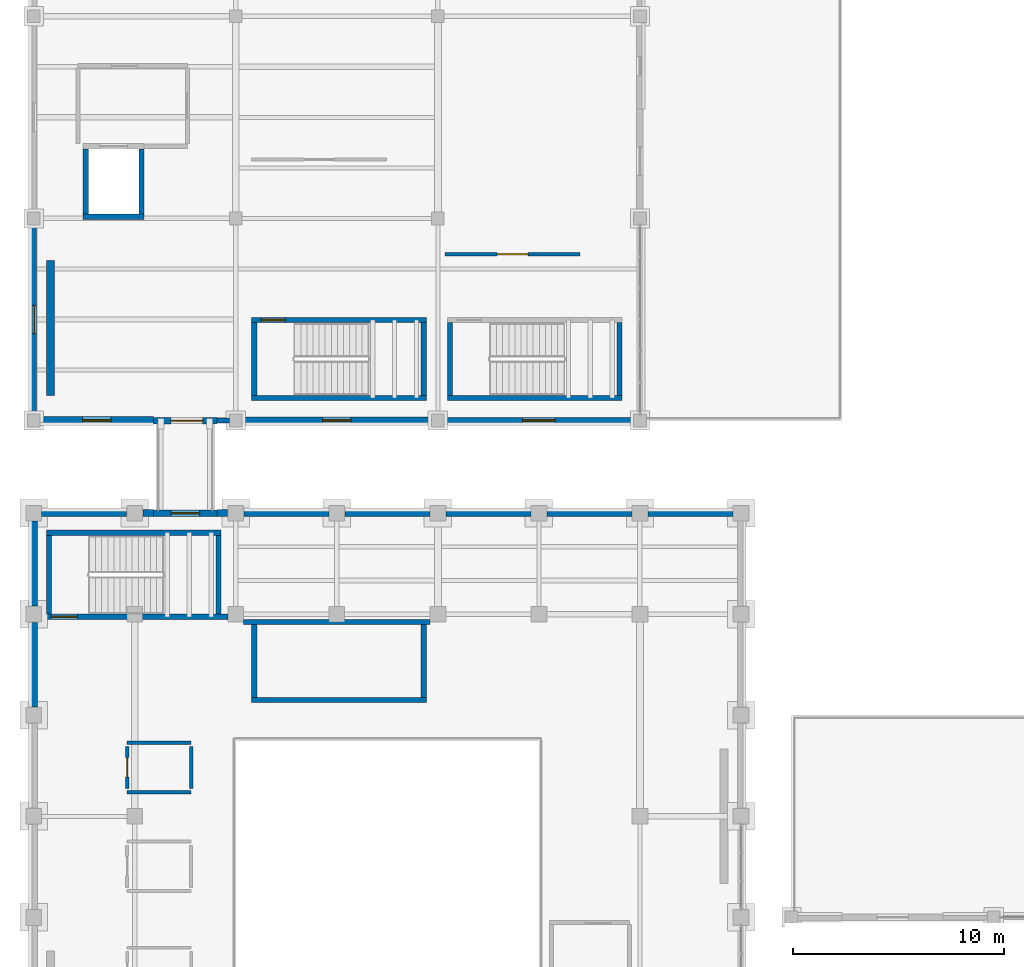
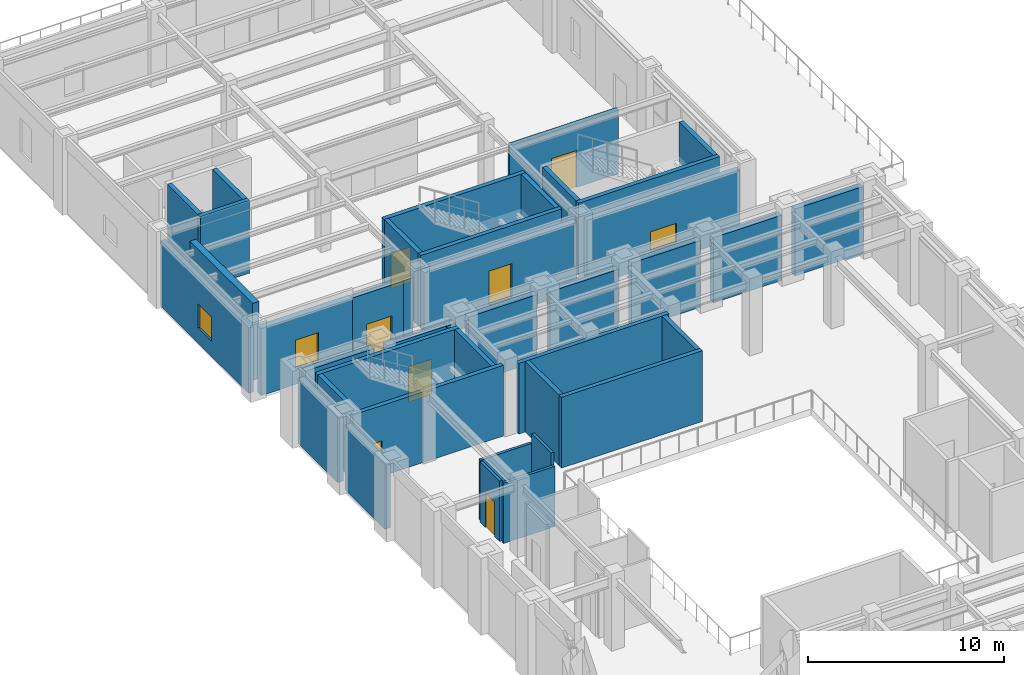
# One storey, part 60 of 83: 41 walls, 6 doors, 4 windows, 10 openings.
"""IFC4 building model written with IfcOpenShell, lengths in metres."""

import ifcopenshell
import ifcopenshell.guid

model = None  # the IFC model being written
_history = None  # IfcOwnerHistory: only IFC2X3 demands one
_inside = {}  # id of a spatial element -> (the spatial element, [elements in it])
_under = {}  # id of a project, library or spatial element -> (it, [spatial elements below it])
_declared = {}  # id of a project -> (the project, [libraries it declares])
_typed = {}  # id of a type object -> (the type object, [elements of that type])
_made_of = {}  # id of a material, layer set ... -> (it, [elements and type objects made of it])


def new_model(schema):
    """Start an empty IFC model of exactly this schema.

    Asked for "IFC4X3", IfcOpenShell would pick the latest addendum, in which some entities
    have other attributes; the version numbers below select the first issue.
    IFC2X3 requires an IfcOwnerHistory on every rooted entity: one is made here for all.
    """
    global model, _history
    if schema == "IFC4X3":
        model = ifcopenshell.file(schema_version=(4, 3, 0, 0))
    else:
        model = ifcopenshell.file(schema=schema)
    _inside.clear()
    _under.clear()
    _declared.clear()
    _typed.clear()
    _made_of.clear()
    _history = None
    if model.schema == "IFC2X3":
        org = make("IfcOrganization", Name="unknown")
        user = make(
            "IfcPersonAndOrganization",
            ThePerson=make("IfcPerson", FamilyName="unknown"),
            TheOrganization=org,
        )
        app = make(
            "IfcApplication",
            ApplicationDeveloper=org,
            Version="unknown",
            ApplicationFullName="unknown",
            ApplicationIdentifier="unknown",
        )
        _history = make(
            "IfcOwnerHistory",
            OwningUser=user,
            OwningApplication=app,
            ChangeAction="ADDED",
            CreationDate=0,
        )
    return model


def make(cls, **values):
    """One entity of the class cls with the attributes given. An attribute that is None is left unset."""
    return model.create_entity(
        cls, **{name: value for name, value in values.items() if value is not None}
    )


def rooted(cls, **values):
    """An entity with a GlobalId (a new one), such as an element, a storey or a relation."""
    return make(cls, GlobalId=ifcopenshell.guid.new(), OwnerHistory=_history, **values)


def si_unit(unit_type, name, prefix=None):
    """IfcSIUnit, for example si_unit("LENGTHUNIT", "METRE", prefix="MILLI")."""
    return make("IfcSIUnit", UnitType=unit_type, Prefix=prefix, Name=name)


def assignment(units):
    """IfcUnitAssignment: the units of a project."""
    return None if units is None else make("IfcUnitAssignment", Units=units)


def point(xyz):
    """IfcCartesianPoint."""
    return None if xyz is None else make("IfcCartesianPoint", Coordinates=xyz)


def direction(xyz):
    """IfcDirection."""
    return None if xyz is None else make("IfcDirection", DirectionRatios=xyz)


def frame(location, z_axis=None, x_axis=None):
    """IfcAxis2Placement3D, a coordinate frame: its origin and axes. An axis left out is left unset."""
    return make(
        "IfcAxis2Placement3D",
        Location=point(location),
        Axis=direction(z_axis),
        RefDirection=direction(x_axis),
    )


def frame_2d(location, x_axis=None):
    """IfcAxis2Placement2D, a coordinate frame in the plane: its origin and x axis."""
    return make(
        "IfcAxis2Placement2D", Location=point(location), RefDirection=direction(x_axis)
    )


def origin():
    """The frame at (0, 0, 0) with its axes left unset."""
    return frame((0.0, 0.0, 0.0))


def place(relative_to, where):
    """IfcLocalPlacement: puts the frame where relative to a parent placement (None: the world)."""
    return make(
        "IfcLocalPlacement", PlacementRelTo=relative_to, RelativePlacement=where
    )


def context(
    kind, dimensions, precision=None, world=None, true_north=None, identifier=None
):
    """IfcGeometricRepresentationContext, for example the 3D "Model" context."""
    return make(
        "IfcGeometricRepresentationContext",
        ContextIdentifier=identifier,
        ContextType=kind,
        CoordinateSpaceDimension=dimensions,
        Precision=precision,
        WorldCoordinateSystem=world,
        TrueNorth=true_north,
    )


def subcontext(parent, identifier, kind, view, scale=None):
    """IfcGeometricRepresentationSubContext, for example "Body" below "Model"."""
    return make(
        "IfcGeometricRepresentationSubContext",
        ContextIdentifier=identifier,
        ContextType=kind,
        ParentContext=parent,
        TargetScale=scale,
        TargetView=view,
    )


def project(units=None, contexts=None):
    """IfcProject with its units and contexts."""
    return rooted(
        "IfcProject",
        Name="project",
        RepresentationContexts=contexts,
        UnitsInContext=assignment(units),
    )


def spatial(cls, under=None, at=None, **own):
    """A site, building, storey or space (cls), placed at a placement, below another one or the project."""
    s = rooted(cls, ObjectPlacement=at, **own)
    if under is not None:
        _under.setdefault(under.id(), (under, []))[1].append(s)
    return s


def profile(cls, at=None, kind="AREA", **sizes):
    """A parametric profile (cls). Its sizes go by their IFC names, for example OverallWidth=200.0."""
    return make(cls, ProfileType=kind, Position=at, **sizes)


def rectangle(**sizes):
    """IfcRectangleProfileDef."""
    return profile("IfcRectangleProfileDef", **sizes)


def extrude(swept, where, along, depth):
    """IfcExtrudedAreaSolid: the profile swept, set in the frame where, extruded along a direction by depth."""
    return make(
        "IfcExtrudedAreaSolid",
        SweptArea=swept,
        Position=where,
        ExtrudedDirection=direction(along),
        Depth=depth,
    )


def shape(context_of_items, identifier, shape_type, items):
    """IfcShapeRepresentation: the items that make up one representation, for example the "Body"."""
    return make(
        "IfcShapeRepresentation",
        ContextOfItems=context_of_items,
        RepresentationIdentifier=identifier,
        RepresentationType=shape_type,
        Items=items,
    )


def material(Name=None, Category=None):
    """IfcMaterial."""
    return make("IfcMaterial", Name=Name, Category=Category)


def layer(
    of_material, thickness, ventilated=None, Name=None, Category=None, Priority=None
):
    """IfcMaterialLayer: one layer of a wall or slab, of a material (None: an air gap)."""
    return make(
        "IfcMaterialLayer",
        Material=of_material,
        LayerThickness=thickness,
        IsVentilated=ventilated,
        Name=Name,
        Category=Category,
        Priority=Priority,
    )


def layer_set(layers, Name=None):
    """IfcMaterialLayerSet."""
    return make("IfcMaterialLayerSet", MaterialLayers=layers, LayerSetName=Name)


def made_of(thing, what):
    """Note that an element or type object is made of a material, layer set ...; save() writes the relation."""
    if what is not None:
        _made_of.setdefault(what.id(), (what, []))[1].append(thing)
    return thing


def type_object(cls, material=None, **own):
    """A type object (cls), such as IfcWallType, which elements share."""
    return made_of(rooted(cls, **own), material)


def element(
    cls,
    number,
    at=None,
    inside=None,
    cuts=None,
    type_object=None,
    material=None,
    context=None,
    identifier="Body",
    shape_type=None,
    held_by="IfcProductDefinitionShape",
    body=None,
    shapes=None,
    **own,
):
    """One element of the class cls, such as IfcWall. Its Tag is "e" and its number.

    at: its placement. inside: the storey or other place that contains it. cuts: it is an
    opening in that element (IfcRelVoidsElement). A single representation is given by context,
    identifier, shape_type and body (its items); several are given by shapes. held_by: the class
    of the entity that holds the representations. save() writes the other relations.
    """
    e = rooted(cls, Tag="e%d" % number, ObjectPlacement=at, **own)
    if body is not None:
        shapes = [shape(context, identifier, shape_type, body)]
    if shapes is not None:
        e.Representation = make(held_by, Representations=shapes)
    if inside is not None:
        _inside.setdefault(inside.id(), (inside, []))[1].append(e)
    if cuts is not None:
        rooted(
            "IfcRelVoidsElement", RelatingBuildingElement=cuts, RelatedOpeningElement=e
        )
    if type_object is not None:
        _typed.setdefault(type_object.id(), (type_object, []))[1].append(e)
    return made_of(e, material)


def fill(opening, filler):
    """IfcRelFillsElement: the door or window that sits in an opening."""
    return rooted(
        "IfcRelFillsElement",
        RelatingOpeningElement=opening,
        RelatedBuildingElement=filler,
    )


def aggregate(whole, parts):
    """IfcRelAggregates: a whole, such as a stair, and the parts it consists of."""
    return rooted("IfcRelAggregates", RelatingObject=whole, RelatedObjects=parts)


def save(model, path):
    """Write the relations noted so far, then the file.

    IfcRelAggregates (storeys below a building ...), IfcRelContainedInSpatialStructure (elements
    in a storey), IfcRelDefinesByType, IfcRelAssociatesMaterial and IfcRelDeclares: one each for
    every whole, place, type object, material and project.
    """
    for whole, parts in _under.values():
        aggregate(whole, parts)
    for where, things in _inside.values():
        rooted(
            "IfcRelContainedInSpatialStructure",
            RelatedElements=things,
            RelatingStructure=where,
        )
    for kind, things in _typed.values():
        rooted("IfcRelDefinesByType", RelatedObjects=things, RelatingType=kind)
    for what, things in _made_of.values():
        rooted("IfcRelAssociatesMaterial", RelatedObjects=things, RelatingMaterial=what)
    for by, libraries in _declared.values():
        rooted("IfcRelDeclares", RelatingContext=by, RelatedDefinitions=libraries)
    model.write(path)


model = new_model("IFC4")

# Units and contexts
model_context = context("Model", 3, precision=1e-05, world=origin(), true_north=direction((0.0, 1.0)))
body_context = subcontext(model_context, "Body", "Model", "MODEL_VIEW")
ifc_project = project(units=[si_unit("LENGTHUNIT", "METRE"), si_unit("AREAUNIT", "SQUARE_METRE"), si_unit("VOLUMEUNIT", "CUBIC_METRE"), si_unit("PLANEANGLEUNIT", "RADIAN"), si_unit("MASSUNIT", "GRAM", prefix="KILO")], contexts=[model_context])

# Site, building, storey
site_placement = place(None, origin())
site = spatial("IfcSite", under=ifc_project, at=site_placement, CompositionType="ELEMENT")
building_placement = place(site_placement, origin())
building = spatial("IfcBuilding", under=site, at=building_placement, Name="Mavantir Sound Aquarium", CompositionType="ELEMENT")
storey_placement = place(building_placement, frame((0.0, 0.0, 10.5)))
storey = spatial("IfcBuildingStorey", under=building, at=storey_placement, Name="L02", CompositionType="ELEMENT", Elevation=10.5)

# Wall, opening, door
ifc_material_1 = material(Name="Coral-Buff Architectural Precast Concrete C40/50", Category="concrete")
ifc_layer_1 = layer(ifc_material_1, 0.31005859375, Name="Coral-Buff Architectural Precast Concrete C40/50")
ifc_layer_set_1 = layer_set([ifc_layer_1], Name="Coral-Buff Architectural Precast Concrete C40/50")
wall_type_1 = type_object("IfcWallType", Name="EW-CORAL-310", PredefinedType="SOLIDWALL", material=ifc_layer_set_1)
wall_1_placement = place(storey_placement, frame((8.699951171875, 79.199951171875, 0.0), z_axis=(0.0, 0.0, 1.0), x_axis=(-1.0, 0.0, 0.0)))
wall_1 = element("IfcWall", 1, at=wall_1_placement, inside=storey, type_object=wall_type_1, Name="L02 bridge portal wall 9", PredefinedType="SOLIDWALL", context=body_context, shape_type="SweptSolid", body=[
    extrude(rectangle(XDim=3.0, YDim=0.31005859375, at=frame_2d((1.5, 0.0))), origin(), (0.0, 0.0, 1.0), 4.05810546875),
])
opening_1_placement = place(wall_1_placement, frame((2.170166015625, 0.0, 0.0), z_axis=(0.0, 0.0, 1.0), x_axis=(-1.0, 0.0, 0.0)))
opening_1 = element("IfcOpeningElement", 2, at=opening_1_placement, cuts=wall_1, Name="Opening ETD-02", PredefinedType="OPENING", context=body_context, shape_type="SweptSolid", body=[
    extrude(rectangle(XDim=1.35009765625, YDim=2.199951171875, at=frame_2d((0.675048828125, 1.10009765625))), frame((0.0, 0.1650390625, 0.0), z_axis=(0.0, -1.0, 0.0), x_axis=(1.0, 0.0, 0.0)), (0.0, 0.0, 1.0), 0.330078125),
])
ifc_material_2 = material(Name="Marine-Grade Anodised Aluminium and Laminated Glass", Category="aluminium")
door_type_1 = type_object("IfcDoorType", Name="DR-TER-135", OperationType="NOTDEFINED", PredefinedType="DOOR", material=ifc_material_2)
door_1_placement = place(opening_1_placement, origin())
door_1 = element("IfcDoor", 3, at=door_1_placement, inside=storey, type_object=door_type_1, Name="L02 bridge access door 9", OperationType="SINGLE_SWING_RIGHT", OverallHeight=2.199951171875, OverallWidth=1.35009765625, PredefinedType="DOOR", context=body_context, shape_type="SweptSolid", body=[
    extrude(rectangle(XDim=1.35009765625, YDim=2.199951171875, at=frame_2d((0.675048828125, 1.10009765625))), frame((0.0, 0.02490234375, 0.0), z_axis=(0.0, -1.0, 0.0), x_axis=(1.0, 0.0, 0.0)), (0.0, 0.0, 1.0), 0.050048828125),
])
fill(opening_1, door_1)

wall_2_placement = place(storey_placement, frame((5.699951171875, 83.60009765625, 0.0), z_axis=(0.0, 0.0, 1.0), x_axis=(1.0, 0.0, 0.0)))
wall_2 = element("IfcWall", 4, at=wall_2_placement, inside=storey, type_object=wall_type_1, Name="L02 bridge portal wall 10", PredefinedType="SOLIDWALL", context=body_context, shape_type="SweptSolid", body=[
    extrude(rectangle(XDim=3.0, YDim=0.31005859375, at=frame_2d((1.5, 0.0))), origin(), (0.0, 0.0, 1.0), 4.177978515625),
])
opening_2_placement = place(wall_2_placement, frame((2.320068359375, 0.0, 0.0), z_axis=(0.0, 0.0, 1.0), x_axis=(-1.0, 0.0, 0.0)))
opening_2 = element("IfcOpeningElement", 5, at=opening_2_placement, cuts=wall_2, Name="Opening ETD-01", PredefinedType="OPENING", context=body_context, shape_type="SweptSolid", body=[
    extrude(rectangle(XDim=1.5, YDim=2.25, at=frame_2d((0.75, 1.125))), frame((0.0, 0.1650390625, 0.0), z_axis=(0.0, -1.0, 0.0), x_axis=(1.0, 0.0, 0.0)), (0.0, 0.0, 1.0), 0.330078125),
])
door_type_2 = type_object("IfcDoorType", Name="DR-TER-150", OperationType="NOTDEFINED", PredefinedType="DOOR", material=ifc_material_2)
door_2_placement = place(opening_2_placement, origin())
door_2 = element("IfcDoor", 6, at=door_2_placement, inside=storey, type_object=door_type_2, Name="L02 bridge access door 10", OperationType="SINGLE_SWING_LEFT", OverallHeight=2.25, OverallWidth=1.5, PredefinedType="DOOR", context=body_context, shape_type="SweptSolid", body=[
    extrude(rectangle(XDim=1.5, YDim=2.25, at=frame_2d((0.75, 1.125))), frame((0.0, 0.02490234375, 0.0), z_axis=(0.0, -1.0, 0.0), x_axis=(1.0, 0.0, 0.0)), (0.0, 0.0, 1.0), 0.050048828125),
])
fill(opening_2, door_2)

# Wall, opening, window
wall_3_placement = place(storey_placement, frame((19.508056640625, 83.60009765625, 0.0), z_axis=(0.0, 0.0, 1.0), x_axis=(1.0, 0.0, 0.0)))
wall_3 = element("IfcWall", 7, at=wall_3_placement, inside=storey, type_object=wall_type_1, Name="L02 exterior facade wall EW-02 290", PredefinedType="SOLIDWALL", context=body_context, shape_type="SweptSolid", body=[
    extrude(rectangle(XDim=8.98388671875, YDim=0.31005859375, at=frame_2d((4.491943359375, 0.0))), origin(), (0.0, 0.0, 1.0), 4.177978515625),
])
opening_3_placement = place(wall_3_placement, frame((3.717041015625, 0.0, 0.949951171875)))
opening_3 = element("IfcOpeningElement", 8, at=opening_3_placement, cuts=wall_3, Name="Opening W-13", PredefinedType="OPENING", context=body_context, shape_type="SweptSolid", body=[
    extrude(rectangle(XDim=1.550048828125, YDim=1.199951171875, at=frame_2d((0.77490234375, 0.60009765625))), frame((0.0, 0.1650390625, 0.0), z_axis=(0.0, -1.0, 0.0), x_axis=(1.0, 0.0, 0.0)), (0.0, 0.0, 1.0), 0.330078125),
])
ifc_material_3 = material(Name="Thermally Broken Aluminium and Low-E Glass", Category="aluminium")
window_type_1 = type_object("IfcWindowType", Name="WIN-EXT-13", PartitioningType="SINGLE_PANEL", PredefinedType="WINDOW", material=ifc_material_3)
window_1_placement = place(opening_3_placement, origin())
window_1 = element("IfcWindow", 9, at=window_1_placement, inside=storey, type_object=window_type_1, Name="L02 facade window W-13 109", OverallHeight=1.199951171875, OverallWidth=1.550048828125, PartitioningType="SINGLE_PANEL", PredefinedType="WINDOW", context=body_context, shape_type="SweptSolid", body=[
    extrude(rectangle(XDim=1.550048828125, YDim=1.199951171875, at=frame_2d((0.77490234375, 0.60009765625))), frame((0.0, 0.030029296875, 0.0), z_axis=(0.0, -1.0, 0.0), x_axis=(1.0, 0.0, 0.0)), (0.0, 0.0, 1.0), 0.06005859375),
])
fill(opening_3, window_1)

# Walls
ifc_layer_2 = layer(ifc_material_1, 0.340087890625, Name="Coral-Buff Architectural Precast Concrete C40/50")
ifc_layer_set_2 = layer_set([ifc_layer_2], Name="Coral-Buff Architectural Precast Concrete C40/50")
wall_type_2 = type_object("IfcWallType", Name="EW-CORAL-340", PredefinedType="SOLIDWALL", material=ifc_layer_set_2)
wall_4_placement = place(storey_placement, frame((33.217041015625, 79.199951171875, 0.0), z_axis=(0.0, 0.0, 1.0), x_axis=(-1.0, 0.0, 0.0)))
element("IfcWall", 10, at=wall_4_placement, inside=storey, type_object=wall_type_2, Name="L02 exterior facade wall EW-01 209", PredefinedType="SOLIDWALL", context=body_context, shape_type="SweptSolid", body=[
    extrude(rectangle(XDim=4.033935546875, YDim=0.340087890625, at=frame_2d((2.01708984375, 0.0))), origin(), (0.0, 0.0, 1.0), 4.1630859375),
])
wall_5_placement = place(storey_placement, frame((28.4169921875, 79.199951171875, 0.0), z_axis=(0.0, 0.0, 1.0), x_axis=(-1.0, 0.0, 0.0)))
element("IfcWall", 11, at=wall_5_placement, inside=storey, type_object=wall_type_2, Name="L02 exterior facade wall EW-01 210", PredefinedType="SOLIDWALL", context=body_context, shape_type="SweptSolid", body=[
    extrude(rectangle(XDim=4.033935546875, YDim=0.340087890625, at=frame_2d((2.01708984375, 0.0))), origin(), (0.0, 0.0, 1.0), 4.05810546875),
])
wall_6_placement = place(storey_placement, frame((23.616943359375, 79.199951171875, 0.0), z_axis=(0.0, 0.0, 1.0), x_axis=(-1.0, 0.0, 0.0)))
element("IfcWall", 12, at=wall_6_placement, inside=storey, type_object=wall_type_2, Name="L02 exterior facade wall EW-01 211", PredefinedType="SOLIDWALL", context=body_context, shape_type="SweptSolid", body=[
    extrude(rectangle(XDim=4.033935546875, YDim=0.340087890625, at=frame_2d((2.01708984375, 0.0))), origin(), (0.0, 0.0, 1.0), 4.1630859375),
])
wall_7_placement = place(storey_placement, frame((18.81689453125, 79.199951171875, 0.0), z_axis=(0.0, 0.0, 1.0), x_axis=(-1.0, 0.0, 0.0)))
element("IfcWall", 13, at=wall_7_placement, inside=storey, type_object=wall_type_2, Name="L02 exterior facade wall EW-01 212", PredefinedType="SOLIDWALL", context=body_context, shape_type="SweptSolid", body=[
    extrude(rectangle(XDim=4.033935546875, YDim=0.340087890625, at=frame_2d((2.01708984375, 0.0))), origin(), (0.0, 0.0, 1.0), 4.05810546875),
])
wall_8_placement = place(storey_placement, frame((14.01708984375, 79.199951171875, 0.0), z_axis=(0.0, 0.0, 1.0), x_axis=(-1.0, 0.0, 0.0)))
element("IfcWall", 14, at=wall_8_placement, inside=storey, type_object=wall_type_2, Name="L02 exterior facade wall EW-01 213", PredefinedType="SOLIDWALL", context=body_context, shape_type="SweptSolid", body=[
    extrude(rectangle(XDim=4.0341796875, YDim=0.340087890625, at=frame_2d((2.01708984375, 0.0))), origin(), (0.0, 0.0, 1.0), 4.1630859375),
])
for number, where, z_axis, x_axis, name in (
    (15, (9.217041015625, 79.199951171875, 0.0), (0.0, 0.0, 1.0), (-1.0, 0.0, 0.0), "L02 exterior facade wall EW-01 214"),
    (16, (5.695068359375, 79.199951171875, 0.0), (0.0, 0.0, 1.0), (-1.0, 0.0, 0.0), "L02 exterior facade wall EW-01 215"),
):
    element("IfcWall", number, at=place(storey_placement, frame(where, z_axis=z_axis, x_axis=x_axis)), inside=storey, type_object=wall_type_2, Name=name, PredefinedType="SOLIDWALL", context=body_context, shape_type="SweptSolid", body=[
        extrude(rectangle(XDim=0.511962890625, YDim=0.340087890625, at=frame_2d((0.255859375, 0.0))), origin(), (0.0, 0.0, 1.0), 4.05810546875),
    ])
wall_9_placement = place(storey_placement, frame((4.4169921875, 79.199951171875, 0.0), z_axis=(0.0, 0.0, 1.0), x_axis=(-1.0, 0.0, 0.0)))
element("IfcWall", 17, at=wall_9_placement, inside=storey, type_object=wall_type_2, Name="L02 exterior facade wall EW-01 216", PredefinedType="SOLIDWALL", context=body_context, shape_type="SweptSolid", body=[
    extrude(rectangle(XDim=4.033935546875, YDim=0.340087890625, at=frame_2d((2.01708984375, 0.0))), origin(), (0.0, 0.0, 1.0), 4.1630859375),
])
wall_10_placement = place(storey_placement, frame((0.0, 78.81689453125, 0.0), z_axis=(0.0, 0.0, 1.0), x_axis=(0.0, -1.0, 0.0)))
element("IfcWall", 18, at=wall_10_placement, inside=storey, type_object=wall_type_2, Name="L02 exterior facade wall EW-01 217", PredefinedType="SOLIDWALL", context=body_context, shape_type="SweptSolid", body=[
    extrude(rectangle(XDim=4.033935546875, YDim=0.340087890625, at=frame_2d((2.01708984375, 0.0))), origin(), (0.0, 0.0, 1.0), 4.05810546875),
])
wall_11_placement = place(storey_placement, frame((0.0, 74.01708984375, 0.0), z_axis=(0.0, 0.0, 1.0), x_axis=(0.0, -1.0, 0.0)))
element("IfcWall", 19, at=wall_11_placement, inside=storey, type_object=wall_type_2, Name="L02 exterior facade wall EW-01 218", PredefinedType="SOLIDWALL", context=body_context, shape_type="SweptSolid", body=[
    extrude(rectangle(XDim=4.0341796875, YDim=0.340087890625, at=frame_2d((2.01708984375, 0.0))), origin(), (0.0, 0.0, 1.0), 4.05810546875),
])

# Wall, opening, window
wall_12_placement = place(storey_placement, frame((9.907958984375, 83.60009765625, 0.0), z_axis=(0.0, 0.0, 1.0), x_axis=(1.0, 0.0, 0.0)))
wall_12 = element("IfcWall", 20, at=wall_12_placement, inside=storey, type_object=wall_type_2, Name="L02 exterior facade wall EW-01 289", PredefinedType="SOLIDWALL", context=body_context, shape_type="SweptSolid", body=[
    extrude(rectangle(XDim=8.984130859375, YDim=0.340087890625, at=frame_2d((4.4921875, 0.0))), origin(), (0.0, 0.0, 1.0), 4.282958984375),
])
opening_4_placement = place(wall_12_placement, frame((3.81689453125, 0.0, 0.949951171875)))
opening_4 = element("IfcOpeningElement", 21, at=opening_4_placement, cuts=wall_12, Name="Opening W-12", PredefinedType="OPENING", context=body_context, shape_type="SweptSolid", body=[
    extrude(rectangle(XDim=1.35009765625, YDim=2.10009765625, at=frame_2d((0.675048828125, 1.050048828125))), frame((0.0, 0.18017578125, 0.0), z_axis=(0.0, -1.0, 0.0), x_axis=(1.0, 0.0, 0.0)), (0.0, 0.0, 1.0), 0.360107421875),
])
window_type_2 = type_object("IfcWindowType", Name="WIN-EXT-12", PartitioningType="SINGLE_PANEL", PredefinedType="WINDOW", material=ifc_material_3)
window_2_placement = place(opening_4_placement, origin())
window_2 = element("IfcWindow", 22, at=window_2_placement, inside=storey, type_object=window_type_2, Name="L02 facade window W-12 108", OverallHeight=2.10009765625, OverallWidth=1.35009765625, PartitioningType="SINGLE_PANEL", PredefinedType="WINDOW", context=body_context, shape_type="SweptSolid", body=[
    extrude(rectangle(XDim=1.35009765625, YDim=2.10009765625, at=frame_2d((0.675048828125, 1.050048828125))), frame((0.0, 0.030029296875, 0.0), z_axis=(0.0, -1.0, 0.0), x_axis=(1.0, 0.0, 0.0)), (0.0, 0.0, 1.0), 0.06005859375),
])
fill(opening_4, window_2)

# Wall
ifc_material_4 = material(Name="Architectural Precast Concrete C40/50", Category="concrete")
ifc_layer_3 = layer(ifc_material_4, 0.239990234375, Name="Architectural Precast Concrete C40/50")
ifc_layer_set_3 = layer_set([ifc_layer_3], Name="Architectural Precast Concrete C40/50")
wall_type_3 = type_object("IfcWallType", Name="EW-PRE-240", PredefinedType="SOLIDWALL", material=ifc_layer_set_3)
wall_13_placement = place(storey_placement, frame((8.705078125, 83.60009765625, 0.0), z_axis=(0.0, 0.0, 1.0), x_axis=(1.0, 0.0, 0.0)))
element("IfcWall", 23, at=wall_13_placement, inside=storey, type_object=wall_type_3, Name="L02 exterior facade wall EW-06 288", PredefinedType="SOLIDWALL", context=body_context, shape_type="SweptSolid", body=[
    extrude(rectangle(XDim=0.5869140625, YDim=0.239990234375, at=frame_2d((0.29345703125, 0.0))), origin(), (0.0, 0.0, 1.0), 4.177978515625),
])

# Wall, opening, window
ifc_layer_4 = layer(ifc_material_1, 0.360107421875, Name="Coral-Buff Architectural Precast Concrete C40/50")
ifc_layer_set_4 = layer_set([ifc_layer_4], Name="Coral-Buff Architectural Precast Concrete C40/50")
wall_type_4 = type_object("IfcWallType", Name="EW-PRE-360", PredefinedType="SOLIDWALL", material=ifc_layer_set_4)
wall_14_placement = place(storey_placement, frame((0.30810546875, 83.60009765625, 0.0), z_axis=(0.0, 0.0, 1.0), x_axis=(1.0, 0.0, 0.0)))
wall_14 = element("IfcWall", 24, at=wall_14_placement, inside=storey, type_object=wall_type_4, Name="L02 exterior facade wall EW-05 287", PredefinedType="SOLIDWALL", context=body_context, shape_type="SweptSolid", body=[
    extrude(rectangle(XDim=5.386962890625, YDim=0.360107421875, at=frame_2d((2.693359375, 0.0))), origin(), (0.0, 0.0, 1.0), 4.177978515625),
])
opening_5_placement = place(wall_14_placement, frame((2.0185546875, 0.0, 0.949951171875)))
opening_5 = element("IfcOpeningElement", 25, at=opening_5_placement, cuts=wall_14, Name="Opening W-11", PredefinedType="OPENING", context=body_context, shape_type="SweptSolid", body=[
    extrude(rectangle(XDim=1.35009765625, YDim=1.800048828125, at=frame_2d((0.675048828125, 0.89990234375))), frame((0.0, 0.18994140625, 0.0), z_axis=(0.0, -1.0, 0.0), x_axis=(1.0, 0.0, 0.0)), (0.0, 0.0, 1.0), 0.380126953125),
])
window_type_3 = type_object("IfcWindowType", Name="WIN-EXT-11", PartitioningType="SINGLE_PANEL", PredefinedType="WINDOW", material=ifc_material_3)
window_3_placement = place(opening_5_placement, origin())
window_3 = element("IfcWindow", 26, at=window_3_placement, inside=storey, type_object=window_type_3, Name="L02 facade window W-11 107", OverallHeight=1.800048828125, OverallWidth=1.35009765625, PartitioningType="SINGLE_PANEL", PredefinedType="WINDOW", context=body_context, shape_type="SweptSolid", body=[
    extrude(rectangle(XDim=1.35009765625, YDim=1.800048828125, at=frame_2d((0.675048828125, 0.89990234375))), frame((0.0, 0.030029296875, 0.0), z_axis=(0.0, -1.0, 0.0), x_axis=(1.0, 0.0, 0.0)), (0.0, 0.0, 1.0), 0.06005859375),
])
fill(opening_5, window_3)

ifc_material_5 = material(Name="Cerulean Glazed Terracotta Rainscreen on Concrete C40/50", Category="masonry")
ifc_layer_5 = layer(ifc_material_5, 0.27001953125, Name="Cerulean Glazed Terracotta Rainscreen on Concrete C40/50")
ifc_layer_set_5 = layer_set([ifc_layer_5], Name="Cerulean Glazed Terracotta Rainscreen on Concrete C40/50")
wall_type_5 = type_object("IfcWallType", Name="EW-TERRA-270", PredefinedType="SOLIDWALL", material=ifc_layer_set_5)
wall_15_placement = place(storey_placement, frame((0.0, 92.89208984375, 0.0), z_axis=(0.0, 0.0, 1.0), x_axis=(0.0, -1.0, 0.0)))
wall_15 = element("IfcWall", 27, at=wall_15_placement, inside=storey, type_object=wall_type_5, Name="L02 exterior facade wall EW-04 286", PredefinedType="SOLIDWALL", context=body_context, shape_type="SweptSolid", body=[
    extrude(rectangle(XDim=8.984130859375, YDim=0.27001953125, at=frame_2d((4.4921875, 0.0))), origin(), (0.0, 0.0, 1.0), 4.069091796875),
])
opening_6_placement = place(wall_15_placement, frame((3.81689453125, 0.0, 0.949951171875)))
opening_6 = element("IfcOpeningElement", 28, at=opening_6_placement, cuts=wall_15, Name="Opening W-10", PredefinedType="OPENING", context=body_context, shape_type="SweptSolid", body=[
    extrude(rectangle(XDim=1.35009765625, YDim=1.5, at=frame_2d((0.675048828125, 0.75))), frame((0.0, 0.14501953125, 0.0), z_axis=(0.0, -1.0, 0.0), x_axis=(1.0, 0.0, 0.0)), (0.0, 0.0, 1.0), 0.2900390625),
])
window_type_4 = type_object("IfcWindowType", Name="WIN-EXT-10", PartitioningType="SINGLE_PANEL", PredefinedType="WINDOW", material=ifc_material_3)
window_4_placement = place(opening_6_placement, origin())
window_4 = element("IfcWindow", 29, at=window_4_placement, inside=storey, type_object=window_type_4, Name="L02 facade window W-10 106", OverallHeight=1.5, OverallWidth=1.35009765625, PartitioningType="SINGLE_PANEL", PredefinedType="WINDOW", context=body_context, shape_type="SweptSolid", body=[
    extrude(rectangle(XDim=1.35009765625, YDim=1.5, at=frame_2d((0.675048828125, 0.75))), frame((0.0, 0.030029296875, 0.0), z_axis=(0.0, -1.0, 0.0), x_axis=(1.0, 0.0, 0.0)), (0.0, 0.0, 1.0), 0.06005859375),
])
fill(opening_6, window_4)

# Walls
ifc_material_6 = material(Name="Acoustic Metal-Stud Gypsum Partition", Category="gypsum")
ifc_layer_6 = layer(ifc_material_6, 0.159912109375, Name="Acoustic Metal-Stud Gypsum Partition")
ifc_layer_set_6 = layer_set([ifc_layer_6], Name="Acoustic Metal-Stud Gypsum Partition")
wall_type_6 = type_object("IfcWallType", Name="IW-PART-160", PredefinedType="PARTITIONING", material=ifc_layer_set_6)
for number, where, z_axis, x_axis, name in (
    (30, (4.43994140625, 68.300048828125, 0.0), (0.0, 0.0, 1.0), (1.0, 0.0, 0.0), "L02 L02 Accessible WC partition N"),
    (31, (4.43994140625, 65.949951171875, 0.0), (0.0, 0.0, 1.0), (1.0, 0.0, 0.0), "L02 L02 Accessible WC partition S"),
):
    element("IfcWall", number, at=place(storey_placement, frame(where, z_axis=z_axis, x_axis=x_axis)), inside=storey, type_object=wall_type_6, Name=name, PredefinedType="PARTITIONING", context=body_context, shape_type="SweptSolid", body=[
        extrude(rectangle(XDim=3.0400390625, YDim=0.159912109375, at=frame_2d((1.52001953125, 0.0))), origin(), (0.0, 0.0, 1.0), 3.7548828125),
    ])

# Wall, opening, door
wall_16_placement = place(storey_placement, frame((4.43994140625, 66.1298828125, 0.0), z_axis=(0.0, 0.0, 1.0), x_axis=(0.0, 1.0, 0.0)))
wall_16 = element("IfcWall", 32, at=wall_16_placement, inside=storey, type_object=wall_type_6, Name="L02 L02 Accessible WC partition W", PredefinedType="PARTITIONING", context=body_context, shape_type="SweptSolid", body=[
    extrude(rectangle(XDim=1.990234375, YDim=0.159912109375, at=frame_2d((0.9951171875, 0.0))), origin(), (0.0, 0.0, 1.0), 3.7548828125),
])
opening_7_placement = place(wall_16_placement, frame((0.534912109375, 0.0, 0.0)))
opening_7 = element("IfcOpeningElement", 33, at=opening_7_placement, cuts=wall_16, Name="Opening ID-01", PredefinedType="OPENING", context=body_context, shape_type="SweptSolid", body=[
    extrude(rectangle(XDim=0.919921875, YDim=2.1201171875, at=frame_2d((0.4599609375, 1.06005859375))), frame((0.0, 0.08984375, 0.0), z_axis=(0.0, -1.0, 0.0), x_axis=(1.0, 0.0, 0.0)), (0.0, 0.0, 1.0), 0.179931640625),
])
ifc_material_7 = material(Name="Solid-Core Marine Hardwood and Vision-Panel Door", Category="wood")
door_type_3 = type_object("IfcDoorType", Name="DR-INT-01", OperationType="NOTDEFINED", PredefinedType="DOOR", material=ifc_material_7)
door_3_placement = place(opening_7_placement, origin())
door_3 = element("IfcDoor", 34, at=door_3_placement, inside=storey, type_object=door_type_3, Name="L02 Accessible WC entrance door", OperationType="SINGLE_SWING_LEFT", OverallHeight=2.1201171875, OverallWidth=0.919921875, PredefinedType="DOOR", context=body_context, shape_type="SweptSolid", body=[
    extrude(rectangle(XDim=0.919921875, YDim=2.1201171875, at=frame_2d((0.4599609375, 1.06005859375))), frame((0.0, 0.02490234375, 0.0), z_axis=(0.0, -1.0, 0.0), x_axis=(1.0, 0.0, 0.0)), (0.0, 0.0, 1.0), 0.050048828125),
])
fill(opening_7, door_3)

# Wall
wall_17_placement = place(storey_placement, frame((7.47998046875, 66.1298828125, 0.0), z_axis=(0.0, 0.0, 1.0), x_axis=(0.0, 1.0, 0.0)))
element("IfcWall", 35, at=wall_17_placement, inside=storey, type_object=wall_type_6, Name="L02 L02 Accessible WC partition E", PredefinedType="PARTITIONING", context=body_context, shape_type="SweptSolid", body=[
    extrude(rectangle(XDim=1.990234375, YDim=0.159912109375, at=frame_2d((0.9951171875, 0.0))), origin(), (0.0, 0.0, 1.0), 4.43994140625),
])

# Wall, opening, door
ifc_layer_7 = layer(ifc_material_6, 0.179931640625, Name="Acoustic Metal-Stud Gypsum Partition")
ifc_layer_set_7 = layer_set([ifc_layer_7], Name="Acoustic Metal-Stud Gypsum Partition")
wall_type_7 = type_object("IfcWallType", Name="IW-PART-180", PredefinedType="PARTITIONING", material=ifc_layer_set_7)
wall_18_placement = place(storey_placement, frame((19.550048828125, 91.5, 0.0), z_axis=(0.0, 0.0, 1.0), x_axis=(1.0, 0.0, 0.0)))
wall_18 = element("IfcWall", 36, at=wall_18_placement, inside=storey, type_object=wall_type_7, Name="L02 Marine Research Physical Oceanography Laboratory entry partition", PredefinedType="PARTITIONING", context=body_context, shape_type="SweptSolid", body=[
    extrude(rectangle(XDim=6.39990234375, YDim=0.179931640625, at=frame_2d((3.199951171875, 0.0))), origin(), (0.0, 0.0, 1.0), 4.01708984375),
])
opening_8_placement = place(wall_18_placement, frame((2.4599609375, 0.0, 0.0)))
opening_8 = element("IfcOpeningElement", 37, at=opening_8_placement, cuts=wall_18, Name="Opening ID-13", PredefinedType="OPENING", context=body_context, shape_type="SweptSolid", body=[
    extrude(rectangle(XDim=1.47998046875, YDim=2.300048828125, at=frame_2d((0.739990234375, 1.14990234375))), frame((0.0, 0.10009765625, 0.0), z_axis=(0.0, -1.0, 0.0), x_axis=(1.0, 0.0, 0.0)), (0.0, 0.0, 1.0), 0.199951171875),
])
door_type_4 = type_object("IfcDoorType", Name="DR-INT-13", OperationType="NOTDEFINED", PredefinedType="DOOR", material=ifc_material_7)
door_4_placement = place(opening_8_placement, origin())
door_4 = element("IfcDoor", 38, at=door_4_placement, inside=storey, type_object=door_type_4, Name="Marine Research Physical Oceanography Laboratory door", OperationType="SINGLE_SWING_RIGHT", OverallHeight=2.300048828125, OverallWidth=1.47998046875, PredefinedType="DOOR", context=body_context, shape_type="SweptSolid", body=[
    extrude(rectangle(XDim=1.47998046875, YDim=2.300048828125, at=frame_2d((0.739990234375, 1.14990234375))), frame((0.0, 0.02490234375, 0.0), z_axis=(0.0, -1.0, 0.0), x_axis=(1.0, 0.0, 0.0)), (0.0, 0.0, 1.0), 0.050048828125),
])
fill(opening_8, door_4)

ifc_material_8 = material(Name="Concrete C40/50", Category="concrete")
ifc_layer_8 = layer(ifc_material_8, 0.25, Name="Concrete C40/50")
ifc_layer_set_8 = layer_set([ifc_layer_8], Name="Concrete C40/50")
wall_type_8 = type_object("IfcWallType", Name="IW-SHAFT-250", PredefinedType="SHEAR", material=ifc_layer_set_8)
wall_19_placement = place(storey_placement, frame((0.375, 74.27490234375, 0.0), z_axis=(0.0, 0.0, 1.0), x_axis=(1.0, 0.0, 0.0)))
wall_19 = element("IfcWall", 39, at=wall_19_placement, inside=storey, type_object=wall_type_8, Name="L02 stair ST2 shaft wall S", PredefinedType="SHEAR", context=body_context, shape_type="SweptSolid", body=[
    extrude(rectangle(XDim=8.85009765625, YDim=0.25, at=frame_2d((4.425048828125, 0.0))), origin(), (0.0, 0.0, 1.0), 4.39990234375),
])
opening_9_placement = place(wall_19_placement, frame((1.699951171875, 0.0, 0.0), z_axis=(0.0, 0.0, 1.0), x_axis=(-1.0, 0.0, 0.0)))
opening_9 = element("IfcOpeningElement", 40, at=opening_9_placement, cuts=wall_19, Name="Opening SD-01", PredefinedType="OPENING", context=body_context, shape_type="SweptSolid", body=[
    extrude(rectangle(XDim=1.25, YDim=2.199951171875, at=frame_2d((0.625, 1.10009765625))), frame((0.0, 0.135009765625, 0.0), z_axis=(0.0, -1.0, 0.0), x_axis=(1.0, 0.0, 0.0)), (0.0, 0.0, 1.0), 0.27001953125),
])
ifc_material_9 = material(Name="Fire-Rated Steel Acoustic Door Leaf", Category="steel")
door_type_5 = type_object("IfcDoorType", Name="DR-ST-125", OperationType="NOTDEFINED", PredefinedType="DOOR", material=ifc_material_9)
door_5_placement = place(opening_9_placement, origin())
door_5 = element("IfcDoor", 41, at=door_5_placement, inside=storey, type_object=door_type_5, Name="L02 protected exit stair ST2 door", OperationType="SINGLE_SWING_LEFT", OverallHeight=2.199951171875, OverallWidth=1.25, PredefinedType="DOOR", context=body_context, shape_type="SweptSolid", body=[
    extrude(rectangle(XDim=1.25, YDim=2.199951171875, at=frame_2d((0.625, 1.10009765625))), frame((0.0, 0.02490234375, 0.0), z_axis=(0.0, -1.0, 0.0), x_axis=(1.0, 0.0, 0.0)), (0.0, 0.0, 1.0), 0.050048828125),
])
fill(opening_9, door_5)

# Walls
wall_20_placement = place(storey_placement, frame((8.89990234375, 78.27490234375, 0.0), z_axis=(0.0, 0.0, 1.0), x_axis=(-1.0, 0.0, 0.0)))
element("IfcWall", 42, at=wall_20_placement, inside=storey, type_object=wall_type_8, Name="L02 stair ST2 shaft wall N", PredefinedType="SHEAR", context=body_context, shape_type="SweptSolid", body=[
    extrude(rectangle(XDim=8.2998046875, YDim=0.25, at=frame_2d((4.14990234375, 0.0))), origin(), (0.0, 0.0, 1.0), 4.39990234375),
])
for number, where, z_axis, x_axis, name in (
    (43, (0.72509765625, 78.14990234375, 0.0), (0.0, 0.0, 1.0), (0.0, -1.0, 0.0), "L02 stair ST2 shaft wall W"),
    (44, (8.77490234375, 74.39990234375, 0.0), (0.0, 0.0, 1.0), (0.0, 1.0, 0.0), "L02 stair ST2 shaft wall E"),
):
    element("IfcWall", number, at=place(storey_placement, frame(where, z_axis=z_axis, x_axis=x_axis)), inside=storey, type_object=wall_type_8, Name=name, PredefinedType="SHEAR", context=body_context, shape_type="SweptSolid", body=[
        extrude(rectangle(XDim=3.75, YDim=0.25, at=frame_2d((1.875, 0.0))), origin(), (0.0, 0.0, 1.0), 4.39990234375),
    ])
wall_21_placement = place(storey_placement, frame((10.35009765625, 70.324951171875, 0.0), z_axis=(0.0, 0.0, 1.0), x_axis=(1.0, 0.0, 0.0)))
element("IfcWall", 45, at=wall_21_placement, inside=storey, type_object=wall_type_8, Name="L02 stair ST10 shaft wall S", PredefinedType="SHEAR", context=body_context, shape_type="SweptSolid", body=[
    extrude(rectangle(XDim=8.2998046875, YDim=0.25, at=frame_2d((4.14990234375, 0.0))), origin(), (0.0, 0.0, 1.0), 4.39990234375),
])
wall_22_placement = place(storey_placement, frame((18.824951171875, 74.02490234375, 0.0), z_axis=(0.0, 0.0, 1.0), x_axis=(-1.0, 0.0, 0.0)))
element("IfcWall", 46, at=wall_22_placement, inside=storey, type_object=wall_type_8, Name="L02 stair ST10 shaft wall N", PredefinedType="SHEAR", context=body_context, shape_type="SweptSolid", body=[
    extrude(rectangle(XDim=8.849853515625, YDim=0.25, at=frame_2d((4.4248046875, 0.0))), origin(), (0.0, 0.0, 1.0), 4.39990234375),
])
for number, where, z_axis, x_axis, name in (
    (47, (10.47509765625, 73.89990234375, 0.0), (0.0, 0.0, 1.0), (0.0, -1.0, 0.0), "L02 stair ST10 shaft wall W"),
    (48, (18.52490234375, 70.449951171875, 0.0), (0.0, 0.0, 1.0), (0.0, 1.0, 0.0), "L02 stair ST10 shaft wall E"),
):
    element("IfcWall", number, at=place(storey_placement, frame(where, z_axis=z_axis, x_axis=x_axis)), inside=storey, type_object=wall_type_8, Name=name, PredefinedType="SHEAR", context=body_context, shape_type="SweptSolid", body=[
        extrude(rectangle(XDim=3.449951171875, YDim=0.25, at=frame_2d((1.72509765625, 0.0))), origin(), (0.0, 0.0, 1.0), 4.39990234375),
    ])
wall_23_placement = place(storey_placement, frame((10.35009765625, 84.675048828125, 0.0), z_axis=(0.0, 0.0, 1.0), x_axis=(1.0, 0.0, 0.0)))
element("IfcWall", 49, at=wall_23_placement, inside=storey, type_object=wall_type_8, Name="L02 stair ST5 shaft wall S", PredefinedType="SHEAR", context=body_context, shape_type="SweptSolid", body=[
    extrude(rectangle(XDim=8.2998046875, YDim=0.25, at=frame_2d((4.14990234375, 0.0))), origin(), (0.0, 0.0, 1.0), 4.52001953125),
])

# Wall, opening, door
wall_24_placement = place(storey_placement, frame((18.64990234375, 88.375, 0.0), z_axis=(0.0, 0.0, 1.0), x_axis=(-1.0, 0.0, 0.0)))
wall_24 = element("IfcWall", 50, at=wall_24_placement, inside=storey, type_object=wall_type_8, Name="L02 stair ST5 shaft wall N", PredefinedType="SHEAR", context=body_context, shape_type="SweptSolid", body=[
    extrude(rectangle(XDim=8.2998046875, YDim=0.25, at=frame_2d((4.14990234375, 0.0))), origin(), (0.0, 0.0, 1.0), 4.52001953125),
])
opening_10_placement = place(wall_24_placement, frame((7.849853515625, 0.0, 0.0), z_axis=(0.0, 0.0, 1.0), x_axis=(-1.0, 0.0, 0.0)))
opening_10 = element("IfcOpeningElement", 51, at=opening_10_placement, cuts=wall_24, Name="Opening SD-02", PredefinedType="OPENING", context=body_context, shape_type="SweptSolid", body=[
    extrude(rectangle(XDim=1.14990234375, YDim=2.199951171875, at=frame_2d((0.574951171875, 1.10009765625))), frame((0.0, 0.135009765625, 0.0), z_axis=(0.0, -1.0, 0.0), x_axis=(1.0, 0.0, 0.0)), (0.0, 0.0, 1.0), 0.27001953125),
])
door_type_6 = type_object("IfcDoorType", Name="DR-ST-115", OperationType="NOTDEFINED", PredefinedType="DOOR", material=ifc_material_9)
door_6_placement = place(opening_10_placement, origin())
door_6 = element("IfcDoor", 52, at=door_6_placement, inside=storey, type_object=door_type_6, Name="L02 protected exit stair ST5 door", OperationType="SINGLE_SWING_LEFT", OverallHeight=2.199951171875, OverallWidth=1.14990234375, PredefinedType="DOOR", context=body_context, shape_type="SweptSolid", body=[
    extrude(rectangle(XDim=1.14990234375, YDim=2.199951171875, at=frame_2d((0.574951171875, 1.10009765625))), frame((0.0, 0.02490234375, 0.0), z_axis=(0.0, -1.0, 0.0), x_axis=(1.0, 0.0, 0.0)), (0.0, 0.0, 1.0), 0.050048828125),
])
fill(opening_10, door_6)

# Walls
for number, where, z_axis, x_axis, name in (
    (53, (10.47509765625, 88.25, 0.0), (0.0, 0.0, 1.0), (0.0, -1.0, 0.0), "L02 stair ST5 shaft wall W"),
    (54, (18.52490234375, 84.800048828125, 0.0), (0.0, 0.0, 1.0), (0.0, 1.0, 0.0), "L02 stair ST5 shaft wall E"),
):
    element("IfcWall", number, at=place(storey_placement, frame(where, z_axis=z_axis, x_axis=x_axis)), inside=storey, type_object=wall_type_8, Name=name, PredefinedType="SHEAR", context=body_context, shape_type="SweptSolid", body=[
        extrude(rectangle(XDim=3.449951171875, YDim=0.25, at=frame_2d((1.72509765625, 0.0))), origin(), (0.0, 0.0, 1.0), 4.52001953125),
    ])
wall_25_placement = place(storey_placement, frame((19.64990234375, 84.675048828125, 0.0), z_axis=(0.0, 0.0, 1.0), x_axis=(1.0, 0.0, 0.0)))
element("IfcWall", 55, at=wall_25_placement, inside=storey, type_object=wall_type_8, Name="L02 stair ST7 shaft wall S", PredefinedType="SHEAR", context=body_context, shape_type="SweptSolid", body=[
    extrude(rectangle(XDim=8.300048828125, YDim=0.25, at=frame_2d((4.14990234375, 0.0))), origin(), (0.0, 0.0, 1.0), 4.52001953125),
])
for number, where, z_axis, x_axis, name in (
    (56, (19.77490234375, 88.25, 0.0), (0.0, 0.0, 1.0), (0.0, -1.0, 0.0), "L02 stair ST7 shaft wall W"),
    (57, (27.824951171875, 84.800048828125, 0.0), (0.0, 0.0, 1.0), (0.0, 1.0, 0.0), "L02 stair ST7 shaft wall E"),
):
    element("IfcWall", number, at=place(storey_placement, frame(where, z_axis=z_axis, x_axis=x_axis)), inside=storey, type_object=wall_type_8, Name=name, PredefinedType="SHEAR", context=body_context, shape_type="SweptSolid", body=[
        extrude(rectangle(XDim=3.449951171875, YDim=0.25, at=frame_2d((1.72509765625, 0.0))), origin(), (0.0, 0.0, 1.0), 4.52001953125),
    ])
wall_26_placement = place(storey_placement, frame((2.35009765625, 93.27490234375, 0.0), z_axis=(0.0, 0.0, 1.0), x_axis=(1.0, 0.0, 0.0)))
element("IfcWall", 58, at=wall_26_placement, inside=storey, type_object=wall_type_8, Name="L02 lift LC2 shaft wall S", PredefinedType="SHEAR", context=body_context, shape_type="SweptSolid", body=[
    extrude(rectangle(XDim=2.89990234375, YDim=0.25, at=frame_2d((1.449951171875, 0.0))), origin(), (0.0, 0.0, 1.0), 4.52001953125),
])
for number, where, z_axis, x_axis, name in (
    (59, (2.47509765625, 93.39990234375, 0.0), (0.0, 0.0, 1.0), (0.0, 1.0, 0.0), "L02 lift LC2 shaft wall W"),
    (60, (5.125, 93.39990234375, 0.0), (0.0, 0.0, 1.0), (0.0, 1.0, 0.0), "L02 lift LC2 shaft wall E"),
):
    element("IfcWall", number, at=place(storey_placement, frame(where, z_axis=z_axis, x_axis=x_axis)), inside=storey, type_object=wall_type_8, Name=name, PredefinedType="SHEAR", context=body_context, shape_type="SweptSolid", body=[
        extrude(rectangle(XDim=3.10009765625, YDim=0.25, at=frame_2d((1.550048828125, 0.0))), origin(), (0.0, 0.0, 1.0), 4.52001953125),
    ])
ifc_layer_9 = layer(ifc_material_8, 0.3798828125, Name="Concrete C40/50")
ifc_layer_set_9 = layer_set([ifc_layer_9], Name="Concrete C40/50")
wall_type_9 = type_object("IfcWallType", Name="SW-SHR-380", PredefinedType="SHEAR", material=ifc_layer_set_9)
wall_27_placement = place(storey_placement, frame((0.800048828125, 84.800048828125, 0.0), z_axis=(0.0, 0.0, 1.0), x_axis=(0.0, 1.0, 0.0)))
element("IfcWall", 61, at=wall_27_placement, inside=storey, type_object=wall_type_9, Name="L02 special RC shear wall 34 (V5)", PredefinedType="SHEAR", context=body_context, shape_type="SweptSolid", body=[
    extrude(rectangle(XDim=6.39990234375, YDim=0.3798828125, at=frame_2d((3.199951171875, 0.0))), origin(), (0.0, 0.0, 1.0), 4.800048828125),
])

save(model, "model.ifc")
